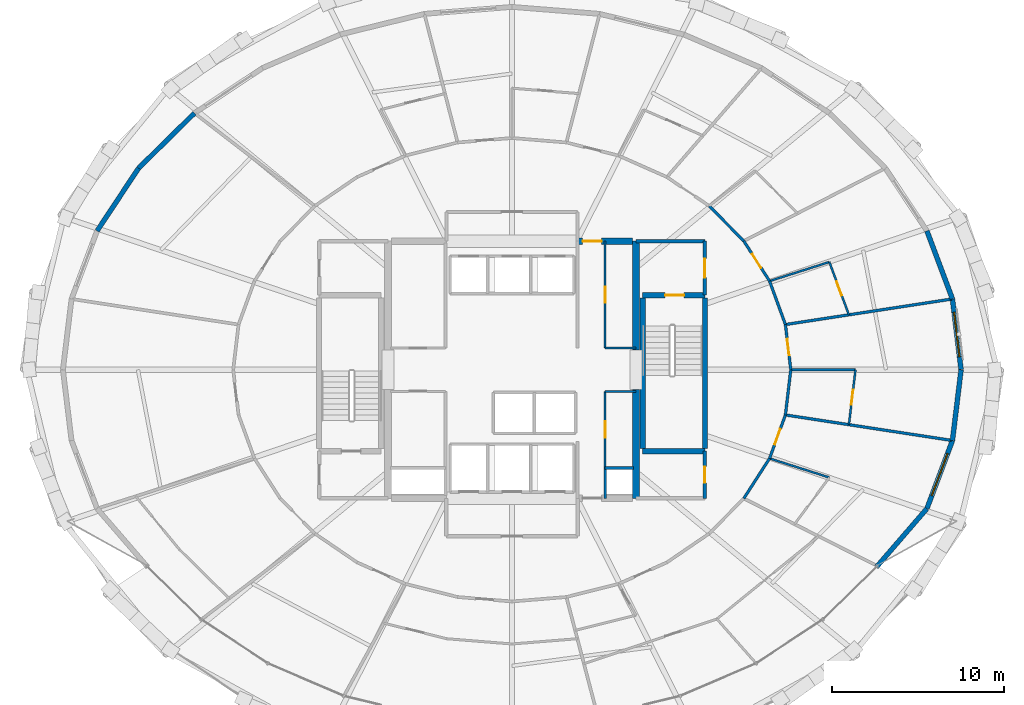
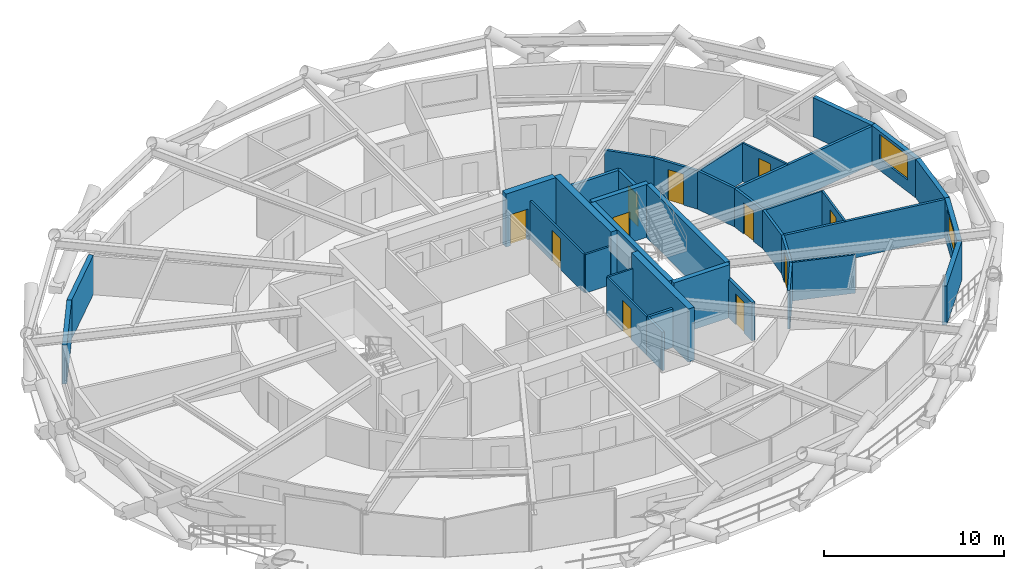
# One storey, part 14 of 18: 37 walls, 11 doors, 2 windows, 13 openings.
"""IFC4 building model written with IfcOpenShell, lengths in metres."""

from ifc_helpers import new_model, si_unit, direction, frame, frame_2d, origin, place, context, subcontext, project, spatial, rectangle, extrude, material, layer, layer_set, type_object, element, fill, save


model = new_model("IFC4")

# Units and contexts
model_context = context("Model", 3, precision=1e-05, world=origin(), true_north=direction((0.0, 1.0)))
body_context = subcontext(model_context, "Body", "Model", "MODEL_VIEW")
ifc_project = project(units=[si_unit("LENGTHUNIT", "METRE"), si_unit("AREAUNIT", "SQUARE_METRE"), si_unit("VOLUMEUNIT", "CUBIC_METRE"), si_unit("PLANEANGLEUNIT", "RADIAN"), si_unit("MASSUNIT", "GRAM", prefix="KILO")], contexts=[model_context])

# Site, building, storey
site_placement = place(None, origin())
site = spatial("IfcSite", under=ifc_project, at=site_placement, CompositionType="ELEMENT")
building_placement = place(site_placement, origin())
building = spatial("IfcBuilding", under=site, at=building_placement, Name="Veldorina Hangang Commons", CompositionType="ELEMENT")
storey_placement = place(building_placement, frame((0.0, 0.0, 41.199951171875)))
storey = spatial("IfcBuildingStorey", under=building, at=storey_placement, Name="L09", CompositionType="ELEMENT", Elevation=41.199951171875)

# Walls
ifc_material_1 = material(Name="Concrete C70/85", Category="concrete")
ifc_layer_1 = layer(ifc_material_1, 0.39990234375)
ifc_layer_set_1 = layer_set([ifc_layer_1], Name="Concrete C70/85")
wall_type_1 = type_object("IfcWallType", Name="CW-RC400-C70", PredefinedType="SHEAR", material=ifc_layer_set_1)
for number, where, z_axis, x_axis, name in (
    (1, (39.199951171875, 16.550048828125, 0.0), (0.0, 0.0, 1.0), (0.0, 1.0, 0.0), "L09 E south core shear wall"),
    (2, (39.199951171875, 25.14990234375, 0.0), (0.0, 0.0, 1.0), (0.0, 1.0, 0.0), "L09 E north core shear wall"),
):
    element("IfcWall", number, at=place(storey_placement, frame(where, z_axis=z_axis, x_axis=x_axis)), inside=storey, type_object=wall_type_1, Name=name, PredefinedType="SHEAR", context=body_context, shape_type="SweptSolid", body=[
        extrude(rectangle(XDim=6.300048828125, YDim=0.39990234375, at=frame_2d((3.14990234375, 0.0))), origin(), (0.0, 0.0, 1.0), 3.60009765625),
    ])

# Wall, opening, door
wall_1_placement = place(storey_placement, frame((35.800048828125, 31.449951171875, 0.0), z_axis=(0.0, 0.0, 1.0), x_axis=(1.0, 0.0, 0.0)))
wall_1 = element("IfcWall", 3, at=wall_1_placement, inside=storey, type_object=wall_type_1, Name="L09 north-east core shear wall", PredefinedType="SHEAR", context=body_context, shape_type="SweptSolid", body=[
    extrude(rectangle(XDim=3.199951171875, YDim=0.39990234375, at=frame_2d((1.60009765625, 0.0))), origin(), (0.0, 0.0, 1.0), 3.60009765625),
])
opening_1_placement = place(wall_1_placement, frame((0.300048828125, 0.0, 0.0)))
opening_1 = element("IfcOpeningElement", 4, at=opening_1_placement, cuts=wall_1, Name="Opening D-08", PredefinedType="OPENING", context=body_context, shape_type="SweptSolid", body=[
    extrude(rectangle(XDim=1.10009765625, YDim=2.10009765625, at=frame_2d((0.550048828125, 1.050048828125))), frame((0.0, 0.2099609375, 0.0), z_axis=(0.0, -1.0, 0.0), x_axis=(1.0, 0.0, 0.0)), (0.0, 0.0, 1.0), 0.419921875),
])
ifc_material_2 = material(Name="Steel Fire-Rated Smoke Seal", Category="steel")
door_type_1 = type_object("IfcDoorType", Name="DR-FIRE-1100", OperationType="SINGLE_SWING_RIGHT", PredefinedType="DOOR", material=ifc_material_2)
door_1_placement = place(opening_1_placement, origin())
door_1 = element("IfcDoor", 5, at=door_1_placement, inside=storey, type_object=door_type_1, Name="L09 central lift lobby north corridor door", OperationType="SINGLE_SWING_LEFT", OverallHeight=2.10009765625, OverallWidth=1.10009765625, PredefinedType="DOOR", context=body_context, shape_type="SweptSolid", body=[
    extrude(rectangle(XDim=1.10009765625, YDim=2.10009765625, at=frame_2d((0.550048828125, 1.050048828125))), frame((0.0, 0.02490234375, 0.0), z_axis=(0.0, -1.0, 0.0), x_axis=(1.0, 0.0, 0.0)), (0.0, 0.0, 1.0), 0.050048828125),
])
fill(opening_1, door_1)

# Wall, opening, window
ifc_material_3 = material(Name="Stone Roman Travertine", Category="masonry")
ifc_layer_2 = layer(ifc_material_3, 0.280029296875)
ifc_layer_set_2 = layer_set([ifc_layer_2], Name="Stone Roman Travertine")
wall_type_2 = type_object("IfcWallType", Name="EW-TRAV-280", PredefinedType="STANDARD", material=ifc_layer_set_2)
wall_2_placement = place(storey_placement, frame((58.035400390625, 24.0, 0.0), z_axis=(0.0, 0.0, 1.0), x_axis=(-0.121003282019, 0.992652107105, 0.0)))
wall_2 = element("IfcWall", 6, at=wall_2_placement, inside=storey, type_object=wall_type_2, Name="L09 travertine facade wall 00", PredefinedType="STANDARD", context=body_context, shape_type="SweptSolid", body=[
    extrude(rectangle(XDim=4.134033203125, YDim=0.280029296875, at=frame_2d((2.06689453125, 0.0))), origin(), (0.0, 0.0, 1.0), 2.650146484375),
])
opening_2_placement = place(wall_2_placement, frame((0.76708984375, 0.0, 0.800048828125)))
opening_2 = element("IfcOpeningElement", 7, at=opening_2_placement, cuts=wall_2, Name="Opening W-02", PredefinedType="OPENING", context=body_context, shape_type="SweptSolid", body=[
    extrude(rectangle(XDim=2.60009765625, YDim=1.64990234375, at=frame_2d((1.300048828125, 0.824951171875))), frame((0.0, 0.14990234375, 0.0), z_axis=(0.0, -1.0, 0.0), x_axis=(1.0, 0.0, 0.0)), (0.0, 0.0, 1.0), 0.300048828125),
])
ifc_material_4 = material(Name="Glass Low-E Triple IGU", Category="glass")
window_type = type_object("IfcWindowType", Name="WIN-TWR-2600", PartitioningType="SINGLE_PANEL", PredefinedType="WINDOW", material=ifc_material_4)
window_1_placement = place(opening_2_placement, origin())
window_1 = element("IfcWindow", 8, at=window_1_placement, inside=storey, type_object=window_type, Name="L09 facade window 00", OverallHeight=1.64990234375, OverallWidth=2.60009765625, PartitioningType="SINGLE_PANEL", PredefinedType="WINDOW", context=body_context, shape_type="SweptSolid", body=[
    extrude(rectangle(XDim=2.60009765625, YDim=1.64990234375, at=frame_2d((1.300048828125, 0.824951171875))), frame((0.0, 0.030029296875, 0.0), z_axis=(0.0, -1.0, 0.0), x_axis=(1.0, 0.0, 0.0)), (0.0, 0.0, 1.0), 0.06005859375),
])
fill(opening_2, window_1)

# Walls
wall_3_placement = place(storey_placement, frame((57.53515625, 28.103759765625, 0.0), z_axis=(0.0, 0.0, 1.0), x_axis=(-0.351472537915, 0.936198192207, 0.0)))
element("IfcWall", 9, at=wall_3_placement, inside=storey, type_object=wall_type_2, Name="L09 travertine facade wall 01", PredefinedType="STANDARD", context=body_context, shape_type="SweptSolid", body=[
    extrude(rectangle(XDim=4.215087890625, YDim=0.280029296875, at=frame_2d((2.107421875, 0.0))), origin(), (0.0, 0.0, 1.0), 2.650146484375),
])
wall_4_placement = place(storey_placement, frame((13.590087890625, 38.874267578125, 0.0), z_axis=(0.0, 0.0, 1.0), x_axis=(-0.712592855148, -0.701577809506, 0.0)))
element("IfcWall", 10, at=wall_4_placement, inside=storey, type_object=wall_type_2, Name="L09 travertine facade wall 12", PredefinedType="STANDARD", context=body_context, shape_type="SweptSolid", body=[
    extrude(rectangle(XDim=4.543701171875, YDim=0.280029296875, at=frame_2d((2.27197265625, 0.0))), origin(), (0.0, 0.0, 1.0), 2.650146484375),
])
wall_5_placement = place(storey_placement, frame((10.352294921875, 35.6865234375, 0.0), z_axis=(0.0, 0.0, 1.0), x_axis=(-0.551763829148, -0.834000405782, 0.0)))
element("IfcWall", 11, at=wall_5_placement, inside=storey, type_object=wall_type_2, Name="L09 travertine facade wall 13", PredefinedType="STANDARD", context=body_context, shape_type="SweptSolid", body=[
    extrude(rectangle(XDim=4.360595703125, YDim=0.280029296875, at=frame_2d((2.18017578125, 0.0))), origin(), (0.0, 0.0, 1.0), 2.650146484375),
])
wall_6_placement = place(storey_placement, frame((53.121826171875, 12.554931640625, 0.0), z_axis=(0.0, 0.0, 1.0), x_axis=(0.653570276047, 0.756865836372, 0.0)))
element("IfcWall", 12, at=wall_6_placement, inside=storey, type_object=wall_type_2, Name="L09 travertine facade wall 29", PredefinedType="STANDARD", context=body_context, shape_type="SweptSolid", body=[
    extrude(rectangle(XDim=4.48583984375, YDim=0.280029296875, at=frame_2d((2.242919921875, 0.0))), origin(), (0.0, 0.0, 1.0), 2.650146484375),
])

# Wall, opening, window
wall_7_placement = place(storey_placement, frame((56.0537109375, 15.9501953125, 0.0), z_axis=(0.0, 0.0, 1.0), x_axis=(0.351472537915, 0.936198192207, 0.0)))
wall_7 = element("IfcWall", 13, at=wall_7_placement, inside=storey, type_object=wall_type_2, Name="L09 travertine facade wall 30", PredefinedType="STANDARD", context=body_context, shape_type="SweptSolid", body=[
    extrude(rectangle(XDim=4.215087890625, YDim=0.280029296875, at=frame_2d((2.107421875, 0.0))), origin(), (0.0, 0.0, 1.0), 2.650146484375),
])
opening_3_placement = place(wall_7_placement, frame((0.8076171875, 0.0, 0.800048828125)))
opening_3 = element("IfcOpeningElement", 14, at=opening_3_placement, cuts=wall_7, Name="Opening W-02", PredefinedType="OPENING", context=body_context, shape_type="SweptSolid", body=[
    extrude(rectangle(XDim=2.60009765625, YDim=1.64990234375, at=frame_2d((1.300048828125, 0.824951171875))), frame((0.0, 0.14990234375, 0.0), z_axis=(0.0, -1.0, 0.0), x_axis=(1.0, 0.0, 0.0)), (0.0, 0.0, 1.0), 0.300048828125),
])
window_2_placement = place(opening_3_placement, origin())
window_2 = element("IfcWindow", 15, at=window_2_placement, inside=storey, type_object=window_type, Name="L09 facade window 30", OverallHeight=1.64990234375, OverallWidth=2.60009765625, PartitioningType="SINGLE_PANEL", PredefinedType="WINDOW", context=body_context, shape_type="SweptSolid", body=[
    extrude(rectangle(XDim=2.60009765625, YDim=1.64990234375, at=frame_2d((1.300048828125, 0.824951171875))), frame((0.0, 0.030029296875, 0.0), z_axis=(0.0, -1.0, 0.0), x_axis=(1.0, 0.0, 0.0)), (0.0, 0.0, 1.0), 0.06005859375),
])
fill(opening_3, window_2)

# Walls
wall_8_placement = place(storey_placement, frame((57.53515625, 19.896240234375, 0.0), z_axis=(0.0, 0.0, 1.0), x_axis=(0.121003282019, 0.992652107105, 0.0)))
element("IfcWall", 16, at=wall_8_placement, inside=storey, type_object=wall_type_2, Name="L09 travertine facade wall 31", PredefinedType="STANDARD", context=body_context, shape_type="SweptSolid", body=[
    extrude(rectangle(XDim=4.134033203125, YDim=0.280029296875, at=frame_2d((2.06689453125, 0.0))), origin(), (0.0, 0.0, 1.0), 2.650146484375),
])
ifc_material_5 = material(Name="Concrete C50/60", Category="concrete")
ifc_layer_3 = layer(ifc_material_5, 0.300048828125)
ifc_layer_set_3 = layer_set([ifc_layer_3], Name="Concrete C50/60")
wall_type_3 = type_object("IfcWallType", Name="SW-STAIR-300", PredefinedType="SHEAR", material=ifc_layer_set_3)
for number, where, z_axis, x_axis, name in (
    (17, (43.179931640625, 19.429931640625, 0.0), (0.0, 0.0, 1.0), (0.0, 1.0, 0.0), "L09 ST2 outer stair shear wall"),
    (18, (39.580078125, 19.429931640625, 0.0), (0.0, 0.0, 1.0), (0.0, 1.0, 0.0), "L09 ST2 inner stair shear wall"),
):
    element("IfcWall", number, at=place(storey_placement, frame(where, z_axis=z_axis, x_axis=x_axis)), inside=storey, type_object=wall_type_3, Name=name, PredefinedType="SHEAR", context=body_context, shape_type="SweptSolid", body=[
        extrude(rectangle(XDim=8.739990234375, YDim=0.300048828125, at=frame_2d((4.3701171875, 0.0))), origin(), (0.0, 0.0, 1.0), 3.60009765625),
    ])
wall_9_placement = place(storey_placement, frame((39.580078125, 19.280029296875, 0.0), z_axis=(0.0, 0.0, 1.0), x_axis=(1.0, 0.0, 0.0)))
element("IfcWall", 19, at=wall_9_placement, inside=storey, type_object=wall_type_3, Name="L09 ST2 south stair shear wall", PredefinedType="SHEAR", context=body_context, shape_type="SweptSolid", body=[
    extrude(rectangle(XDim=3.599853515625, YDim=0.300048828125, at=frame_2d((1.7998046875, 0.0))), origin(), (0.0, 0.0, 1.0), 3.60009765625),
])

# Wall, opening, door
wall_10_placement = place(storey_placement, frame((39.580078125, 28.320068359375, 0.0), z_axis=(0.0, 0.0, 1.0), x_axis=(1.0, 0.0, 0.0)))
wall_10 = element("IfcWall", 20, at=wall_10_placement, inside=storey, type_object=wall_type_3, Name="L09 ST2 north stair shear wall", PredefinedType="SHEAR", context=body_context, shape_type="SweptSolid", body=[
    extrude(rectangle(XDim=3.599853515625, YDim=0.300048828125, at=frame_2d((1.7998046875, 0.0))), origin(), (0.0, 0.0, 1.0), 3.60009765625),
])
opening_4_placement = place(wall_10_placement, frame((1.300048828125, 0.0, 0.0)))
opening_4 = element("IfcOpeningElement", 21, at=opening_4_placement, cuts=wall_10, Name="Opening D-08", PredefinedType="OPENING", context=body_context, shape_type="SweptSolid", body=[
    extrude(rectangle(XDim=1.10009765625, YDim=2.10009765625, at=frame_2d((0.550048828125, 1.050048828125))), frame((0.0, 0.16015625, 0.0), z_axis=(0.0, -1.0, 0.0), x_axis=(1.0, 0.0, 0.0)), (0.0, 0.0, 1.0), 0.320068359375),
])
door_2_placement = place(opening_4_placement, origin())
door_2 = element("IfcDoor", 22, at=door_2_placement, inside=storey, type_object=door_type_1, Name="L09 Special Escape Stair ST-2 door", OperationType="SINGLE_SWING_RIGHT", OverallHeight=2.10009765625, OverallWidth=1.10009765625, PredefinedType="DOOR", context=body_context, shape_type="SweptSolid", body=[
    extrude(rectangle(XDim=1.10009765625, YDim=2.10009765625, at=frame_2d((0.550048828125, 1.050048828125))), frame((0.0, 0.02490234375, 0.0), z_axis=(0.0, -1.0, 0.0), x_axis=(1.0, 0.0, 0.0)), (0.0, 0.0, 1.0), 0.050048828125),
])
fill(opening_4, door_2)

# Walls
ifc_material_6 = material(Name="Gypsum Fire-Rated Twin Stud Wall", Category="gypsum")
ifc_layer_4 = layer(ifc_material_6, 0.159912109375)
ifc_layer_set_4 = layer_set([ifc_layer_4], Name="Gypsum Fire-Rated Twin Stud Wall")
wall_type_4 = type_object("IfcWallType", Name="WL-FIRE-160", PredefinedType="SOLIDWALL", material=ifc_layer_set_4)
wall_11_placement = place(storey_placement, frame((37.39990234375, 16.550048828125, 0.0), z_axis=(0.0, 0.0, 1.0), x_axis=(0.0, 1.0, 0.0)))
element("IfcWall", 23, at=wall_11_placement, inside=storey, type_object=wall_type_4, Name="L09 Lift passage SE stub 010", PredefinedType="SOLIDWALL", context=body_context, shape_type="SweptSolid", body=[
    extrude(rectangle(XDim=1.75, YDim=0.159912109375, at=frame_2d((0.875, 0.0))), origin(), (0.0, 0.0, 1.0), 2.610107421875),
])
wall_12_placement = place(storey_placement, frame((37.39990234375, 18.300048828125, 0.0), z_axis=(0.0, 0.0, 1.0), x_axis=(1.0, 0.0, 0.0)))
element("IfcWall", 24, at=wall_12_placement, inside=storey, type_object=wall_type_4, Name="L09 Plumbing riser wall 037", PredefinedType="SOLIDWALL", context=body_context, shape_type="SweptSolid", body=[
    extrude(rectangle(XDim=1.650146484375, YDim=0.159912109375, at=frame_2d((0.8251953125, 0.0))), origin(), (0.0, 0.0, 1.0), 2.610107421875),
])

# Wall, opening, door
wall_13_placement = place(storey_placement, frame((48.162109375, 24.0, 0.0), z_axis=(0.0, 0.0, 1.0), x_axis=(-0.117667763342, 0.993053018459, 0.0)))
wall_13 = element("IfcWall", 25, at=wall_13_placement, inside=storey, type_object=wall_type_4, Name="L09 Corridor outer wall 00 045", PredefinedType="SOLIDWALL", context=body_context, shape_type="SweptSolid", body=[
    extrude(rectangle(XDim=2.63916015625, YDim=0.159912109375, at=frame_2d((1.319580078125, 0.0))), origin(), (0.0, 0.0, 1.0), 2.610107421875),
])
opening_5_placement = place(wall_13_placement, frame((0.844482421875, 0.0, 0.0)))
opening_5 = element("IfcOpeningElement", 26, at=opening_5_placement, cuts=wall_13, Name="Opening D-03", PredefinedType="OPENING", context=body_context, shape_type="SweptSolid", body=[
    extrude(rectangle(XDim=0.949951171875, YDim=2.10009765625, at=frame_2d((0.47509765625, 1.050048828125))), frame((0.0, 0.08984375, 0.0), z_axis=(0.0, -1.0, 0.0), x_axis=(1.0, 0.0, 0.0)), (0.0, 0.0, 1.0), 0.179931640625),
])
ifc_material_7 = material(Name="Timber Fire-Rated Entrance Core", Category="wood")
door_type_2 = type_object("IfcDoorType", Name="DR-UNIT-950", OperationType="SINGLE_SWING_RIGHT", PredefinedType="DOOR", material=ifc_material_7)
door_3_placement = place(opening_5_placement, origin())
door_3 = element("IfcDoor", 27, at=door_3_placement, inside=storey, type_object=door_type_2, Name="L09 Studio 4 entrance door 026", OperationType="SINGLE_SWING_RIGHT", OverallHeight=2.10009765625, OverallWidth=0.949951171875, PredefinedType="DOOR", context=body_context, shape_type="SweptSolid", body=[
    extrude(rectangle(XDim=0.949951171875, YDim=2.10009765625, at=frame_2d((0.47509765625, 1.050048828125))), frame((0.0, 0.02490234375, 0.0), z_axis=(0.0, -1.0, 0.0), x_axis=(1.0, 0.0, 0.0)), (0.0, 0.0, 1.0), 0.050048828125),
])
fill(opening_5, door_3)

# Wall
wall_14_placement = place(storey_placement, frame((47.8515625, 26.620849609375, 0.0), z_axis=(0.0, 0.0, 1.0), x_axis=(-0.342882618672, 0.939378257047, 0.0)))
element("IfcWall", 28, at=wall_14_placement, inside=storey, type_object=wall_type_4, Name="L09 Corridor outer wall 01 046", PredefinedType="SOLIDWALL", context=body_context, shape_type="SweptSolid", body=[
    extrude(rectangle(XDim=2.682861328125, YDim=0.159912109375, at=frame_2d((1.34130859375, 0.0))), origin(), (0.0, 0.0, 1.0), 2.610107421875),
])

# Wall, opening, door
wall_15_placement = place(storey_placement, frame((46.931640625, 29.14111328125, 0.0), z_axis=(0.0, 0.0, 1.0), x_axis=(-0.540891657444, 0.841092274907, 0.0)))
wall_15 = element("IfcWall", 29, at=wall_15_placement, inside=storey, type_object=wall_type_4, Name="L09 Corridor outer wall 02 047", PredefinedType="SOLIDWALL", context=body_context, shape_type="SweptSolid", body=[
    extrude(rectangle(XDim=2.760986328125, YDim=0.159912109375, at=frame_2d((1.38037109375, 0.0))), origin(), (0.0, 0.0, 1.0), 2.610107421875),
])
opening_6_placement = place(wall_15_placement, frame((0.905517578125, 0.0, 0.0)))
opening_6 = element("IfcOpeningElement", 30, at=opening_6_placement, cuts=wall_15, Name="Opening D-03", PredefinedType="OPENING", context=body_context, shape_type="SweptSolid", body=[
    extrude(rectangle(XDim=0.949951171875, YDim=2.10009765625, at=frame_2d((0.47509765625, 1.050048828125))), frame((0.0, 0.08984375, 0.0), z_axis=(0.0, -1.0, 0.0), x_axis=(1.0, 0.0, 0.0)), (0.0, 0.0, 1.0), 0.179931640625),
])
door_4_placement = place(opening_6_placement, origin())
door_4 = element("IfcDoor", 31, at=door_4_placement, inside=storey, type_object=door_type_2, Name="L09 Studio 5 entrance door 028", OperationType="SINGLE_SWING_RIGHT", OverallHeight=2.10009765625, OverallWidth=0.949951171875, PredefinedType="DOOR", context=body_context, shape_type="SweptSolid", body=[
    extrude(rectangle(XDim=0.949951171875, YDim=2.10009765625, at=frame_2d((0.47509765625, 1.050048828125))), frame((0.0, 0.02490234375, 0.0), z_axis=(0.0, -1.0, 0.0), x_axis=(1.0, 0.0, 0.0)), (0.0, 0.0, 1.0), 0.050048828125),
])
fill(opening_6, door_4)

# Walls
wall_16_placement = place(storey_placement, frame((45.438232421875, 31.46337890625, 0.0), z_axis=(0.0, 0.0, 1.0), x_axis=(-0.702569520063, 0.711615113301, 0.0)))
element("IfcWall", 32, at=wall_16_placement, inside=storey, type_object=wall_type_4, Name="L09 Corridor outer wall 03 048", PredefinedType="SOLIDWALL", context=body_context, shape_type="SweptSolid", body=[
    extrude(rectangle(XDim=2.86083984375, YDim=0.159912109375, at=frame_2d((1.430419921875, 0.0))), origin(), (0.0, 0.0, 1.0), 2.610107421875),
])
wall_17_placement = place(storey_placement, frame((45.438232421875, 16.53662109375, 0.0), z_axis=(0.0, 0.0, 1.0), x_axis=(0.540891657444, 0.841092274907, 0.0)))
element("IfcWall", 33, at=wall_17_placement, inside=storey, type_object=wall_type_4, Name="L09 Corridor outer wall 29 074", PredefinedType="SOLIDWALL", context=body_context, shape_type="SweptSolid", body=[
    extrude(rectangle(XDim=2.760986328125, YDim=0.159912109375, at=frame_2d((1.38037109375, 0.0))), origin(), (0.0, 0.0, 1.0), 2.610107421875),
])

# Wall, opening, door
wall_18_placement = place(storey_placement, frame((46.931640625, 18.85888671875, 0.0), z_axis=(0.0, 0.0, 1.0), x_axis=(0.342882618672, 0.939378257047, 0.0)))
wall_18 = element("IfcWall", 34, at=wall_18_placement, inside=storey, type_object=wall_type_4, Name="L09 Corridor outer wall 30 075", PredefinedType="SOLIDWALL", context=body_context, shape_type="SweptSolid", body=[
    extrude(rectangle(XDim=2.682861328125, YDim=0.159912109375, at=frame_2d((1.34130859375, 0.0))), origin(), (0.0, 0.0, 1.0), 2.610107421875),
])
opening_7_placement = place(wall_18_placement, frame((0.866455078125, 0.0, 0.0)))
opening_7 = element("IfcOpeningElement", 35, at=opening_7_placement, cuts=wall_18, Name="Opening D-03", PredefinedType="OPENING", context=body_context, shape_type="SweptSolid", body=[
    extrude(rectangle(XDim=0.949951171875, YDim=2.10009765625, at=frame_2d((0.47509765625, 1.050048828125))), frame((0.0, 0.08984375, 0.0), z_axis=(0.0, -1.0, 0.0), x_axis=(1.0, 0.0, 0.0)), (0.0, 0.0, 1.0), 0.179931640625),
])
door_5_placement = place(opening_7_placement, origin())
door_5 = element("IfcDoor", 36, at=door_5_placement, inside=storey, type_object=door_type_2, Name="L09 Studio 3 entrance door 024", OperationType="SINGLE_SWING_RIGHT", OverallHeight=2.10009765625, OverallWidth=0.949951171875, PredefinedType="DOOR", context=body_context, shape_type="SweptSolid", body=[
    extrude(rectangle(XDim=0.949951171875, YDim=2.10009765625, at=frame_2d((0.47509765625, 1.050048828125))), frame((0.0, 0.02490234375, 0.0), z_axis=(0.0, -1.0, 0.0), x_axis=(1.0, 0.0, 0.0)), (0.0, 0.0, 1.0), 0.050048828125),
])
fill(opening_7, door_5)

# Walls
wall_19_placement = place(storey_placement, frame((47.8515625, 21.379150390625, 0.0), z_axis=(0.0, 0.0, 1.0), x_axis=(0.117667763342, 0.993053018459, 0.0)))
element("IfcWall", 37, at=wall_19_placement, inside=storey, type_object=wall_type_4, Name="L09 Corridor outer wall 31 076", PredefinedType="SOLIDWALL", context=body_context, shape_type="SweptSolid", body=[
    extrude(rectangle(XDim=2.63916015625, YDim=0.159912109375, at=frame_2d((1.319580078125, 0.0))), origin(), (0.0, 0.0, 1.0), 2.610107421875),
])
for number, where, z_axis, x_axis, name in (
    (38, (47.8515625, 21.379150390625, 0.0), (0.0, 0.0, 1.0), (0.988476582303, -0.151373862468, 0.0), "L09 Unit party wall 31 090"),
    (39, (47.8515625, 26.620849609375, 0.0), (0.0, 0.0, 1.0), (0.988476582303, 0.151373862468, 0.0), "L09 Unit party wall 01 093"),
):
    element("IfcWall", number, at=place(storey_placement, frame(where, z_axis=z_axis, x_axis=x_axis)), inside=storey, type_object=wall_type_4, Name=name, PredefinedType="SOLIDWALL", context=body_context, shape_type="SweptSolid", body=[
        extrude(rectangle(XDim=9.746337890625, YDim=0.159912109375, at=frame_2d((4.873046875, 0.0))), origin(), (0.0, 0.0, 1.0), 2.610107421875),
    ])

# Wall, opening, door
ifc_material_8 = material(Name="Concrete Blockwork Fire Wall C30/37", Category="masonry")
ifc_layer_5 = layer(ifc_material_8, 0.199951171875)
ifc_layer_set_5 = layer_set([ifc_layer_5], Name="Concrete Blockwork Fire Wall C30/37")
wall_type_5 = type_object("IfcWallType", Name="WL-FIRE-200", PredefinedType="SOLIDWALL", material=ifc_layer_set_5)
wall_20_placement = place(storey_placement, frame((43.179931640625, 28.320068359375, 0.0), z_axis=(0.0, 0.0, 1.0), x_axis=(0.0, 1.0, 0.0)))
wall_20 = element("IfcWall", 40, at=wall_20_placement, inside=storey, type_object=wall_type_5, Name="L09 East vestibule outer wall 003", PredefinedType="SOLIDWALL", context=body_context, shape_type="SweptSolid", body=[
    extrude(rectangle(XDim=3.1298828125, YDim=0.199951171875, at=frame_2d((1.56494140625, 0.0))), origin(), (0.0, 0.0, 1.0), 2.610107421875),
])
opening_8_placement = place(wall_20_placement, frame((1.014892578125, 0.0, 0.0)))
opening_8 = element("IfcOpeningElement", 41, at=opening_8_placement, cuts=wall_20, Name="Opening D-08", PredefinedType="OPENING", context=body_context, shape_type="SweptSolid", body=[
    extrude(rectangle(XDim=1.10009765625, YDim=2.10009765625, at=frame_2d((0.550048828125, 1.050048828125))), frame((0.0, 0.10986328125, 0.0), z_axis=(0.0, -1.0, 0.0), x_axis=(1.0, 0.0, 0.0)), (0.0, 0.0, 1.0), 0.219970703125),
])
door_6_placement = place(opening_8_placement, origin())
door_6 = element("IfcDoor", 42, at=door_6_placement, inside=storey, type_object=door_type_1, Name="L09 East vestibule east door 002", OperationType="SINGLE_SWING_RIGHT", OverallHeight=2.10009765625, OverallWidth=1.10009765625, PredefinedType="DOOR", context=body_context, shape_type="SweptSolid", body=[
    extrude(rectangle(XDim=1.10009765625, YDim=2.10009765625, at=frame_2d((0.550048828125, 1.050048828125))), frame((0.0, 0.02490234375, 0.0), z_axis=(0.0, -1.0, 0.0), x_axis=(1.0, 0.0, 0.0)), (0.0, 0.0, 1.0), 0.050048828125),
])
fill(opening_8, door_6)

# Wall
wall_21_placement = place(storey_placement, frame((39.199951171875, 31.449951171875, 0.0), z_axis=(0.0, 0.0, 1.0), x_axis=(1.0, 0.0, 0.0)))
element("IfcWall", 43, at=wall_21_placement, inside=storey, type_object=wall_type_5, Name="L09 East vestibule north wall 004", PredefinedType="SOLIDWALL", context=body_context, shape_type="SweptSolid", body=[
    extrude(rectangle(XDim=3.97998046875, YDim=0.199951171875, at=frame_2d((1.989990234375, 0.0))), origin(), (0.0, 0.0, 1.0), 2.610107421875),
])

# Wall, opening, door
wall_22_placement = place(storey_placement, frame((43.179931640625, 16.550048828125, 0.0), z_axis=(0.0, 0.0, 1.0), x_axis=(0.0, 1.0, 0.0)))
wall_22 = element("IfcWall", 44, at=wall_22_placement, inside=storey, type_object=wall_type_5, Name="L09 SE core room outer wall 007", PredefinedType="SOLIDWALL", context=body_context, shape_type="SweptSolid", body=[
    extrude(rectangle(XDim=2.72998046875, YDim=0.199951171875, at=frame_2d((1.364990234375, 0.0))), origin(), (0.0, 0.0, 1.0), 2.610107421875),
])
opening_9_placement = place(wall_22_placement, frame((0.889892578125, 0.0, 0.0)))
opening_9 = element("IfcOpeningElement", 45, at=opening_9_placement, cuts=wall_22, Name="Opening D-02", PredefinedType="OPENING", context=body_context, shape_type="SweptSolid", body=[
    extrude(rectangle(XDim=0.949951171875, YDim=2.10009765625, at=frame_2d((0.47509765625, 1.050048828125))), frame((0.0, 0.10986328125, 0.0), z_axis=(0.0, -1.0, 0.0), x_axis=(1.0, 0.0, 0.0)), (0.0, 0.0, 1.0), 0.219970703125),
])
ifc_material_9 = material(Name="Timber Solid Core Acoustic", Category="wood")
door_type_3 = type_object("IfcDoorType", Name="DR-INT-950", OperationType="SINGLE_SWING_LEFT", PredefinedType="DOOR", material=ifc_material_9)
door_7_placement = place(opening_9_placement, origin())
door_7 = element("IfcDoor", 46, at=door_7_placement, inside=storey, type_object=door_type_3, Name="L09 SE core WC door 004", OperationType="SINGLE_SWING_RIGHT", OverallHeight=2.10009765625, OverallWidth=0.949951171875, PredefinedType="DOOR", context=body_context, shape_type="SweptSolid", body=[
    extrude(rectangle(XDim=0.949951171875, YDim=2.10009765625, at=frame_2d((0.47509765625, 1.050048828125))), frame((0.0, 0.02490234375, 0.0), z_axis=(0.0, -1.0, 0.0), x_axis=(1.0, 0.0, 0.0)), (0.0, 0.0, 1.0), 0.050048828125),
])
fill(opening_9, door_7)

ifc_material_10 = material(Name="Gypsum Acoustic Stud Partition", Category="gypsum")
ifc_layer_6 = layer(ifc_material_10, 0.1201171875)
ifc_layer_set_6 = layer_set([ifc_layer_6], Name="Gypsum Acoustic Stud Partition")
wall_type_6 = type_object("IfcWallType", Name="WL-PART-120", PredefinedType="PARTITIONING", material=ifc_layer_set_6)
wall_23_placement = place(storey_placement, frame((37.39990234375, 25.25, 0.0), z_axis=(0.0, 0.0, 1.0), x_axis=(0.0, 1.0, 0.0)))
wall_23 = element("IfcWall", 47, at=wall_23_placement, inside=storey, type_object=wall_type_6, Name="L09 NE strip lobby wall 041", PredefinedType="PARTITIONING", context=body_context, shape_type="SweptSolid", body=[
    extrude(rectangle(XDim=6.199951171875, YDim=0.1201171875, at=frame_2d((3.10009765625, 0.0))), origin(), (0.0, 0.0, 1.0), 2.610107421875),
])
opening_10_placement = place(wall_23_placement, frame((2.625, 0.0, 0.0)))
opening_10 = element("IfcOpeningElement", 48, at=opening_10_placement, cuts=wall_23, Name="Opening D-02", PredefinedType="OPENING", context=body_context, shape_type="SweptSolid", body=[
    extrude(rectangle(XDim=0.949951171875, YDim=2.10009765625, at=frame_2d((0.47509765625, 1.050048828125))), frame((0.0, 0.070068359375, 0.0), z_axis=(0.0, -1.0, 0.0), x_axis=(1.0, 0.0, 0.0)), (0.0, 0.0, 1.0), 0.14013671875),
])
door_8_placement = place(opening_10_placement, origin())
door_8 = element("IfcDoor", 49, at=door_8_placement, inside=storey, type_object=door_type_3, Name="L09 Comms room door 015", OperationType="SINGLE_SWING_LEFT", OverallHeight=2.10009765625, OverallWidth=0.949951171875, PredefinedType="DOOR", context=body_context, shape_type="SweptSolid", body=[
    extrude(rectangle(XDim=0.949951171875, YDim=2.10009765625, at=frame_2d((0.47509765625, 1.050048828125))), frame((0.0, 0.02490234375, 0.0), z_axis=(0.0, -1.0, 0.0), x_axis=(1.0, 0.0, 0.0)), (0.0, 0.0, 1.0), 0.050048828125),
])
fill(opening_10, door_8)

# Wall
wall_24_placement = place(storey_placement, frame((37.39990234375, 25.25, 0.0), z_axis=(0.0, 0.0, 1.0), x_axis=(1.0, 0.0, 0.0)))
element("IfcWall", 50, at=wall_24_placement, inside=storey, type_object=wall_type_6, Name="L09 NE strip south return wall 042", PredefinedType="PARTITIONING", context=body_context, shape_type="SweptSolid", body=[
    extrude(rectangle(XDim=1.800048828125, YDim=0.1201171875, at=frame_2d((0.89990234375, 0.0))), origin(), (0.0, 0.0, 1.0), 2.610107421875),
])

# Wall, opening, door
wall_25_placement = place(storey_placement, frame((37.39990234375, 18.300048828125, 0.0), z_axis=(0.0, 0.0, 1.0), x_axis=(0.0, 1.0, 0.0)))
wall_25 = element("IfcWall", 51, at=wall_25_placement, inside=storey, type_object=wall_type_6, Name="L09 SE strip lobby wall 043", PredefinedType="PARTITIONING", context=body_context, shape_type="SweptSolid", body=[
    extrude(rectangle(XDim=4.449951171875, YDim=0.1201171875, at=frame_2d((2.22509765625, 0.0))), origin(), (0.0, 0.0, 1.0), 2.610107421875),
])
opening_11_placement = place(wall_25_placement, frame((1.75, 0.0, 0.0)))
opening_11 = element("IfcOpeningElement", 52, at=opening_11_placement, cuts=wall_25, Name="Opening D-02", PredefinedType="OPENING", context=body_context, shape_type="SweptSolid", body=[
    extrude(rectangle(XDim=0.949951171875, YDim=2.10009765625, at=frame_2d((0.47509765625, 1.050048828125))), frame((0.0, 0.070068359375, 0.0), z_axis=(0.0, -1.0, 0.0), x_axis=(1.0, 0.0, 0.0)), (0.0, 0.0, 1.0), 0.14013671875),
])
door_9_placement = place(opening_11_placement, origin())
door_9 = element("IfcDoor", 53, at=door_9_placement, inside=storey, type_object=door_type_3, Name="L09 BMS closet door 016", OperationType="SINGLE_SWING_RIGHT", OverallHeight=2.10009765625, OverallWidth=0.949951171875, PredefinedType="DOOR", context=body_context, shape_type="SweptSolid", body=[
    extrude(rectangle(XDim=0.949951171875, YDim=2.10009765625, at=frame_2d((0.47509765625, 1.050048828125))), frame((0.0, 0.02490234375, 0.0), z_axis=(0.0, -1.0, 0.0), x_axis=(1.0, 0.0, 0.0)), (0.0, 0.0, 1.0), 0.050048828125),
])
fill(opening_11, door_9)

# Walls
wall_26_placement = place(storey_placement, frame((37.39990234375, 22.75, 0.0), z_axis=(0.0, 0.0, 1.0), x_axis=(1.0, 0.0, 0.0)))
element("IfcWall", 54, at=wall_26_placement, inside=storey, type_object=wall_type_6, Name="L09 SE strip north return wall 044", PredefinedType="PARTITIONING", context=body_context, shape_type="SweptSolid", body=[
    extrude(rectangle(XDim=1.800048828125, YDim=0.1201171875, at=frame_2d((0.89990234375, 0.0))), origin(), (0.0, 0.0, 1.0), 2.610107421875),
])
wall_27_placement = place(storey_placement, frame((46.931640625, 18.85888671875, 0.0), z_axis=(0.0, 0.0, 1.0), x_axis=(0.952742297431, -0.303779714077, 0.0)))
element("IfcWall", 55, at=wall_27_placement, inside=storey, type_object=wall_type_6, Name="L09 Studio 3 bath side wall 089", PredefinedType="PARTITIONING", context=body_context, shape_type="SweptSolid", body=[
    extrude(rectangle(XDim=3.63818359375, YDim=0.1201171875, at=frame_2d((1.819091796875, 0.0))), origin(), (0.0, 0.0, 1.0), 2.610107421875),
])

# Wall, opening, door
wall_28_placement = place(storey_placement, frame((51.53125, 20.815673828125, 0.0), z_axis=(0.0, 0.0, 1.0), x_axis=(0.11928329579, 0.992860259727, 0.0)))
wall_28 = element("IfcWall", 56, at=wall_28_placement, inside=storey, type_object=wall_type_6, Name="L09 Studio 4 bath front wall 091", PredefinedType="PARTITIONING", context=body_context, shape_type="SweptSolid", body=[
    extrude(rectangle(XDim=3.207275390625, YDim=0.1201171875, at=frame_2d((1.603515625, 0.0))), origin(), (0.0, 0.0, 1.0), 2.610107421875),
])
opening_12_placement = place(wall_28_placement, frame((1.173583984375, 0.0, 0.0)))
opening_12 = element("IfcOpeningElement", 57, at=opening_12_placement, cuts=wall_28, Name="Opening D-01", PredefinedType="OPENING", context=body_context, shape_type="SweptSolid", body=[
    extrude(rectangle(XDim=0.860107421875, YDim=2.10009765625, at=frame_2d((0.43017578125, 1.050048828125))), frame((0.0, 0.070068359375, 0.0), z_axis=(0.0, -1.0, 0.0), x_axis=(1.0, 0.0, 0.0)), (0.0, 0.0, 1.0), 0.14013671875),
])
ifc_material_11 = material(Name="Timber Moisture-Resistant Core", Category="wood")
door_type_4 = type_object("IfcDoorType", Name="DR-WET-860", OperationType="SINGLE_SWING_LEFT", PredefinedType="DOOR", material=ifc_material_11)
door_10_placement = place(opening_12_placement, origin())
door_10 = element("IfcDoor", 58, at=door_10_placement, inside=storey, type_object=door_type_4, Name="L09 Studio 4 bathroom door 025", OperationType="SINGLE_SWING_LEFT", OverallHeight=2.10009765625, OverallWidth=0.860107421875, PredefinedType="DOOR", context=body_context, shape_type="SweptSolid", body=[
    extrude(rectangle(XDim=0.860107421875, YDim=2.10009765625, at=frame_2d((0.43017578125, 1.050048828125))), frame((0.0, 0.02490234375, 0.0), z_axis=(0.0, -1.0, 0.0), x_axis=(1.0, 0.0, 0.0)), (0.0, 0.0, 1.0), 0.050048828125),
])
fill(opening_12, door_10)

# Wall
wall_29_placement = place(storey_placement, frame((48.162109375, 24.0, 0.0), z_axis=(0.0, 0.0, 1.0), x_axis=(1.0, 0.0, 0.0)))
element("IfcWall", 59, at=wall_29_placement, inside=storey, type_object=wall_type_6, Name="L09 Studio 4 bath side wall 092", PredefinedType="PARTITIONING", context=body_context, shape_type="SweptSolid", body=[
    extrude(rectangle(XDim=3.751708984375, YDim=0.1201171875, at=frame_2d((1.8759765625, 0.0))), origin(), (0.0, 0.0, 1.0), 2.610107421875),
])

# Wall, opening, door
wall_30_placement = place(storey_placement, frame((51.53125, 27.184326171875, 0.0), z_axis=(0.0, 0.0, 1.0), x_axis=(-0.347104905391, 0.937826308361, 0.0)))
wall_30 = element("IfcWall", 60, at=wall_30_placement, inside=storey, type_object=wall_type_6, Name="L09 Studio 5 bath front wall 094", PredefinedType="PARTITIONING", context=body_context, shape_type="SweptSolid", body=[
    extrude(rectangle(XDim=3.264892578125, YDim=0.1201171875, at=frame_2d((1.63232421875, 0.0))), origin(), (0.0, 0.0, 1.0), 2.610107421875),
])
opening_13_placement = place(wall_30_placement, frame((1.20263671875, 0.0, 0.0)))
opening_13 = element("IfcOpeningElement", 61, at=opening_13_placement, cuts=wall_30, Name="Opening D-01", PredefinedType="OPENING", context=body_context, shape_type="SweptSolid", body=[
    extrude(rectangle(XDim=0.860107421875, YDim=2.10009765625, at=frame_2d((0.43017578125, 1.050048828125))), frame((0.0, 0.070068359375, 0.0), z_axis=(0.0, -1.0, 0.0), x_axis=(1.0, 0.0, 0.0)), (0.0, 0.0, 1.0), 0.14013671875),
])
door_11_placement = place(opening_13_placement, origin())
door_11 = element("IfcDoor", 62, at=door_11_placement, inside=storey, type_object=door_type_4, Name="L09 Studio 5 bathroom door 027", OperationType="SINGLE_SWING_LEFT", OverallHeight=2.10009765625, OverallWidth=0.860107421875, PredefinedType="DOOR", context=body_context, shape_type="SweptSolid", body=[
    extrude(rectangle(XDim=0.860107421875, YDim=2.10009765625, at=frame_2d((0.43017578125, 1.050048828125))), frame((0.0, 0.02490234375, 0.0), z_axis=(0.0, -1.0, 0.0), x_axis=(1.0, 0.0, 0.0)), (0.0, 0.0, 1.0), 0.050048828125),
])
fill(opening_13, door_11)

# Wall
wall_31_placement = place(storey_placement, frame((46.931640625, 29.14111328125, 0.0), z_axis=(0.0, 0.0, 1.0), x_axis=(0.952742297431, 0.303779714077, 0.0)))
element("IfcWall", 63, at=wall_31_placement, inside=storey, type_object=wall_type_6, Name="L09 Studio 5 bath side wall 095", PredefinedType="PARTITIONING", context=body_context, shape_type="SweptSolid", body=[
    extrude(rectangle(XDim=3.63818359375, YDim=0.1201171875, at=frame_2d((1.819091796875, 0.0))), origin(), (0.0, 0.0, 1.0), 2.610107421875),
])

save(model, "model.ifc")
